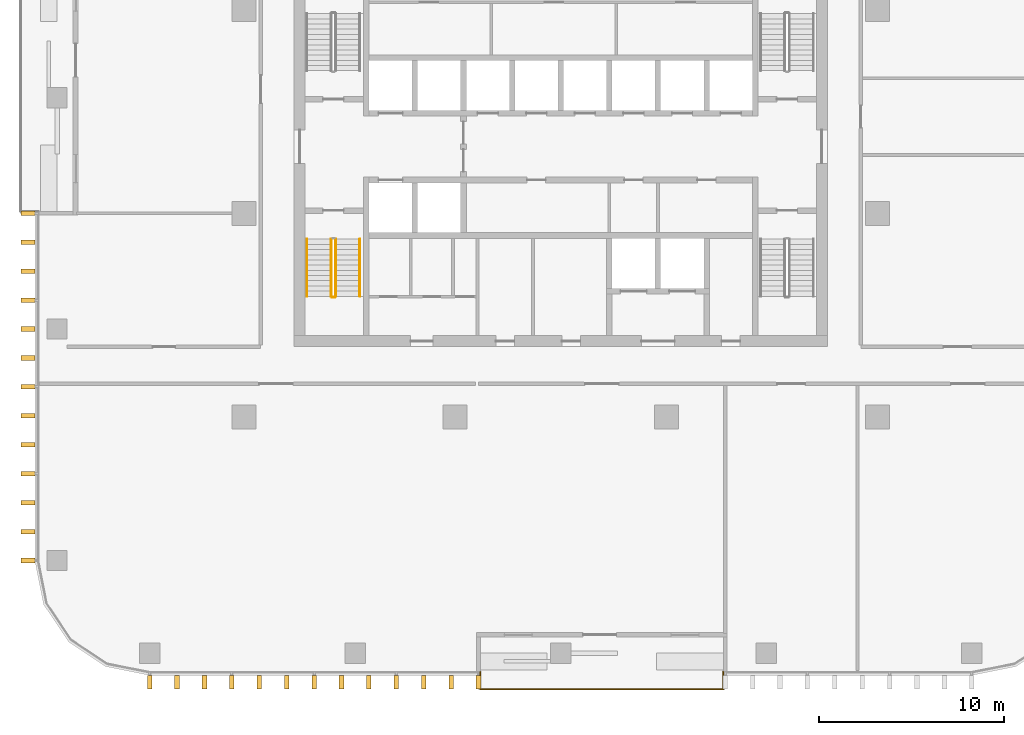
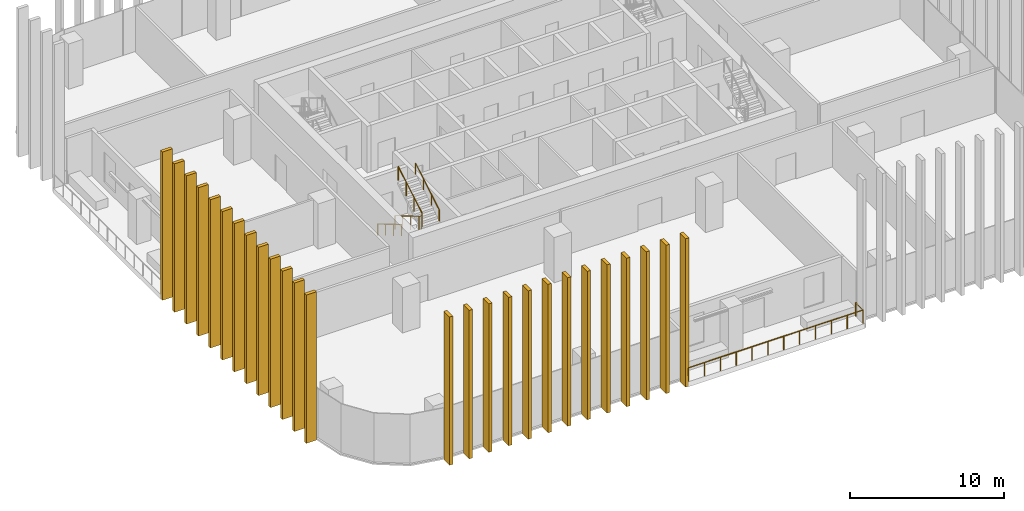
# One storey, part 11 of 16: 26 shading devices, 5 railings.
"""IFC4 building model written with IfcOpenShell, lengths in metres."""

from ifc_helpers import new_model, si_unit, direction, frame, origin, origin_2d, place, context, subcontext, project, spatial, rectangle, circle, extrude, material, type_object, element, save


model = new_model("IFC4")

# Units and contexts
model_context = context("Model", 3, precision=1e-05, world=origin(), true_north=direction((0.0, 1.0)))
body_context = subcontext(model_context, "Body", "Model", "MODEL_VIEW")
ifc_project = project(units=[si_unit("LENGTHUNIT", "METRE"), si_unit("AREAUNIT", "SQUARE_METRE"), si_unit("VOLUMEUNIT", "CUBIC_METRE"), si_unit("PLANEANGLEUNIT", "RADIAN"), si_unit("MASSUNIT", "GRAM", prefix="KILO")], contexts=[model_context])

# Site, building, storey
site_placement = place(None, origin())
site = spatial("IfcSite", under=ifc_project, at=site_placement, CompositionType="ELEMENT")
building_placement = place(site_placement, origin())
building = spatial("IfcBuilding", under=site, at=building_placement, Name="Mopane Tessera Tower", CompositionType="ELEMENT")
storey_placement = place(building_placement, frame((0.0, 0.0, 247.0)))
storey = spatial("IfcBuildingStorey", under=building, at=storey_placement, Name="L53", CompositionType="ELEMENT", Elevation=247.0)

# Shading devices
ifc_material_1 = material(Name="Glazed ceramic tile")
shading_device_type = type_object("IfcShadingDeviceType", Name="Ceramic tile fin 750 x 250 mm", PredefinedType="USERDEFINED", material=ifc_material_1)
for number, where, z_axis, x_axis, name in (
    (1, (-22.199951171875, -25.324951171875, -0.39990234375), (0.0, 0.0, 1.0), (1.0, 0.0, 0.0), "e:fin:L53:S:0:0"),
    (2, (-20.719970703125, -25.324951171875, -0.39990234375), (0.0, 0.0, 1.0), (1.0, 0.0, 0.0), "e:fin:L53:S:0:1"),
    (3, (-19.239990234375, -25.324951171875, -0.39990234375), (0.0, 0.0, 1.0), (1.0, 0.0, 0.0), "e:fin:L53:S:0:2"),
    (4, (-17.760009765625, -25.324951171875, -0.39990234375), (0.0, 0.0, 1.0), (1.0, 0.0, 0.0), "e:fin:L53:S:1:0"),
    (5, (-16.280029296875, -25.324951171875, -0.39990234375), (0.0, 0.0, 1.0), (1.0, 0.0, 0.0), "e:fin:L53:S:1:1"),
    (6, (-14.800048828125, -25.324951171875, -0.39990234375), (0.0, 0.0, 1.0), (1.0, 0.0, 0.0), "e:fin:L53:S:1:2"),
    (7, (-13.320068359375, -25.324951171875, -0.39990234375), (0.0, 0.0, 1.0), (1.0, 0.0, 0.0), "e:fin:L53:S:2:0"),
    (8, (-11.840087890625, -25.324951171875, -0.39990234375), (0.0, 0.0, 1.0), (1.0, 0.0, 0.0), "e:fin:L53:S:2:1"),
    (9, (-10.360107421875, -25.324951171875, -0.39990234375), (0.0, 0.0, 1.0), (1.0, 0.0, 0.0), "e:fin:L53:S:2:2"),
    (10, (-8.8798828125, -25.324951171875, -0.39990234375), (0.0, 0.0, 1.0), (1.0, 0.0, 0.0), "e:fin:L53:S:3:0"),
    (11, (-7.39990234375, -25.324951171875, -0.39990234375), (0.0, 0.0, 1.0), (1.0, 0.0, 0.0), "e:fin:L53:S:3:1"),
    (12, (-5.919921875, -25.324951171875, -0.39990234375), (0.0, 0.0, 1.0), (1.0, 0.0, 0.0), "e:fin:L53:S:3:2"),
    (13, (-4.43994140625, -25.324951171875, -0.39990234375), (0.0, 0.0, 1.0), (1.0, 0.0, 0.0), "e:fin:L53:S:3:3"),
    (14, (-28.77490234375, 0.0, -0.39990234375), (0.0, 0.0, 1.0), (0.0, -1.0, 0.0), "e:fin:L53:W:4:0"),
    (15, (-28.77490234375, -1.5625, -0.39990234375), (0.0, 0.0, 1.0), (0.0, -1.0, 0.0), "e:fin:L53:W:4:1"),
    (16, (-28.77490234375, -3.125, -0.39990234375), (0.0, 0.0, 1.0), (0.0, -1.0, 0.0), "e:fin:L53:W:4:2"),
    (17, (-28.77490234375, -4.6875, -0.39990234375), (0.0, 0.0, 1.0), (0.0, -1.0, 0.0), "e:fin:L53:W:5:0"),
    (18, (-28.77490234375, -6.25, -0.39990234375), (0.0, 0.0, 1.0), (0.0, -1.0, 0.0), "e:fin:L53:W:5:1"),
    (19, (-28.77490234375, -7.8125, -0.39990234375), (0.0, 0.0, 1.0), (0.0, -1.0, 0.0), "e:fin:L53:W:5:2"),
    (20, (-28.77490234375, -9.375, -0.39990234375), (0.0, 0.0, 1.0), (0.0, -1.0, 0.0), "e:fin:L53:W:6:0"),
    (21, (-28.77490234375, -10.9375, -0.39990234375), (0.0, 0.0, 1.0), (0.0, -1.0, 0.0), "e:fin:L53:W:6:1"),
    (22, (-28.77490234375, -12.5, -0.39990234375), (0.0, 0.0, 1.0), (0.0, -1.0, 0.0), "e:fin:L53:W:6:2"),
    (23, (-28.77490234375, -14.0625, -0.39990234375), (0.0, 0.0, 1.0), (0.0, -1.0, 0.0), "e:fin:L53:W:7:0"),
    (24, (-28.77490234375, -15.625, -0.39990234375), (0.0, 0.0, 1.0), (0.0, -1.0, 0.0), "e:fin:L53:W:7:1"),
    (25, (-28.77490234375, -17.1875, -0.39990234375), (0.0, 0.0, 1.0), (0.0, -1.0, 0.0), "e:fin:L53:W:7:2"),
    (26, (-28.77490234375, -18.75, -0.39990234375), (0.0, 0.0, 1.0), (0.0, -1.0, 0.0), "e:fin:L53:W:7:3"),
):
    element("IfcShadingDevice", number, at=place(storey_placement, frame(where, z_axis=z_axis, x_axis=x_axis)), inside=storey, type_object=shading_device_type, Name=name, ObjectType="FIN", PredefinedType="USERDEFINED", context=body_context, shape_type="SweptSolid", body=[
        extrude(rectangle(XDim=0.25, YDim=0.75, at=origin_2d()), origin(), (0.0, 0.0, 1.0), 11.800048828125),
    ])

# Railings
ifc_material_2 = material(Name="Powder-coated steel balustrade", Category="steel")
railing_type_1 = type_object("IfcRailingType", Name="Escape stair guard 1100 mm", PredefinedType="GUARDRAIL", material=ifc_material_2)
railing_1_placement = place(storey_placement, frame((-12.39990234375, -1.39990234375, 0.166748046875)))
element("IfcRailing", 27, at=railing_1_placement, inside=storey, type_object=railing_type_1, Name="L53 ST1 stair guard 1", PredefinedType="GUARDRAIL", context=body_context, shape_type="SweptSolid", body=[
    extrude(circle(Radius=0.02392578125, at=origin_2d()), frame((0.0, 0.0, 1.076171875), z_axis=(0.0, -0.859308565015, 0.511457515432), x_axis=(1.0, 0.0, 0.0)), (0.0, 0.0, 1.0), 3.58447265625),
    extrude(circle(Radius=0.02392578125, at=origin_2d()), frame((0.0, -3.080078125, 2.9091796875), z_axis=(0.705375805398, -0.708833529934, 0.0), x_axis=(0.708833529934, 0.705375805398, 0.0)), (0.0, 0.0, 1.0), 0.070556640625),
    extrude(circle(Radius=0.02392578125, at=origin_2d()), frame((0.0498046875, -3.130126953125, 2.9091796875), z_axis=(1.0, 0.0, 0.0), x_axis=(0.0, 1.0, 0.0)), (0.0, 0.0, 1.0), 0.150146484375),
    extrude(circle(Radius=0.02099609375, at=origin_2d()), origin(), (0.0, 0.0, 1.0), 1.052001953125),
    extrude(circle(Radius=0.02099609375, at=origin_2d()), frame((0.0, -1.026611328125, 0.611083984375)), (0.0, 0.0, 1.0), 1.052001953125),
    extrude(circle(Radius=0.02099609375, at=origin_2d()), frame((0.0, -2.053466796875, 1.22216796875)), (0.0, 0.0, 1.0), 1.052001953125),
    extrude(circle(Radius=0.02099609375, at=origin_2d()), frame((0.0, -3.080078125, 1.833251953125)), (0.0, 0.0, 1.0), 1.052001953125),
    extrude(circle(Radius=0.02099609375, at=origin_2d()), frame((0.0498046875, -3.130126953125, 1.833251953125)), (0.0, 0.0, 1.0), 1.052001953125),
    extrude(circle(Radius=0.02099609375, at=origin_2d()), frame((0.199951171875, -3.130126953125, 1.833251953125)), (0.0, 0.0, 1.0), 1.052001953125),
])
railing_2_placement = place(storey_placement, frame((-12.14990234375, -4.47998046875, 2.166748046875)))
element("IfcRailing", 28, at=railing_2_placement, inside=storey, type_object=railing_type_1, Name="L53 ST1 stair guard 2", PredefinedType="GUARDRAIL", context=body_context, shape_type="SweptSolid", body=[
    extrude(circle(Radius=0.02392578125, at=origin_2d()), frame((0.0, 0.0, 1.076171875), z_axis=(0.0, 0.859308565015, 0.511457515432), x_axis=(-1.0, 0.0, 0.0)), (0.0, 0.0, 1.0), 3.58447265625),
    extrude(circle(Radius=0.02099609375, at=origin_2d()), origin(), (0.0, 0.0, 1.0), 1.052001953125),
    extrude(circle(Radius=0.02099609375, at=origin_2d()), frame((0.0, 1.026611328125, 0.611083984375)), (0.0, 0.0, 1.0), 1.052001953125),
    extrude(circle(Radius=0.02099609375, at=origin_2d()), frame((0.0, 2.053466796875, 1.22216796875)), (0.0, 0.0, 1.0), 1.052001953125),
    extrude(circle(Radius=0.02099609375, at=origin_2d()), frame((0.0, 3.080078125, 1.833251953125)), (0.0, 0.0, 1.0), 1.052001953125),
])
ifc_material_3 = material(Name="Powder-coated steel balustrade", Category="steel")
railing_type_2 = type_object("IfcRailingType", Name="Escape stair handrail 900 mm", PredefinedType="HANDRAIL", material=ifc_material_3)
railing_3_placement = place(storey_placement, frame((-13.699951171875, -1.39990234375, 0.166748046875)))
element("IfcRailing", 29, at=railing_3_placement, inside=storey, type_object=railing_type_2, Name="L53 ST1 stair handrail 1", PredefinedType="HANDRAIL", context=body_context, shape_type="SweptSolid", body=[
    extrude(circle(Radius=0.02392578125, at=origin_2d()), frame((0.0, 0.0, 0.8759765625), z_axis=(0.0, -0.859308565015, 0.511457515432), x_axis=(1.0, 0.0, 0.0)), (0.0, 0.0, 1.0), 3.58447265625),
    extrude(circle(Radius=0.02099609375, at=origin_2d()), origin(), (0.0, 0.0, 1.0), 0.851806640625),
    extrude(circle(Radius=0.02099609375, at=origin_2d()), frame((0.0, -1.026611328125, 0.611083984375)), (0.0, 0.0, 1.0), 0.851806640625),
    extrude(circle(Radius=0.02099609375, at=origin_2d()), frame((0.0, -2.053466796875, 1.22216796875)), (0.0, 0.0, 1.0), 0.851806640625),
    extrude(circle(Radius=0.02099609375, at=origin_2d()), frame((0.0, -3.080078125, 1.833251953125)), (0.0, 0.0, 1.0), 0.851806640625),
])
railing_4_placement = place(storey_placement, frame((-10.85009765625, -4.47998046875, 2.166748046875)))
element("IfcRailing", 30, at=railing_4_placement, inside=storey, type_object=railing_type_2, Name="L53 ST1 stair handrail 2", PredefinedType="HANDRAIL", context=body_context, shape_type="SweptSolid", body=[
    extrude(circle(Radius=0.02392578125, at=origin_2d()), frame((0.0, 0.0, 0.8759765625), z_axis=(0.0, 0.859308565015, 0.511457515432), x_axis=(-1.0, 0.0, 0.0)), (0.0, 0.0, 1.0), 3.58447265625),
    extrude(circle(Radius=0.02099609375, at=origin_2d()), origin(), (0.0, 0.0, 1.0), 0.851806640625),
    extrude(circle(Radius=0.02099609375, at=origin_2d()), frame((0.0, 1.026611328125, 0.611083984375)), (0.0, 0.0, 1.0), 0.851806640625),
    extrude(circle(Radius=0.02099609375, at=origin_2d()), frame((0.0, 2.053466796875, 1.22216796875)), (0.0, 0.0, 1.0), 0.851806640625),
    extrude(circle(Radius=0.02099609375, at=origin_2d()), frame((0.0, 3.080078125, 1.833251953125)), (0.0, 0.0, 1.0), 0.851806640625),
])
ifc_material_4 = material(Name="Stainless steel S316", Category="steel")
railing_type_3 = type_object("IfcRailingType", Name="Terrace guard 1100", PredefinedType="GUARDRAIL", material=ifc_material_4)
railing_5_placement = place(storey_placement, frame((-4.340087890625, -24.75, 0.0)))
element("IfcRailing", 31, at=railing_5_placement, inside=storey, type_object=railing_type_3, Name="e:nw:L53:N1:guard", PredefinedType="GUARDRAIL", context=body_context, shape_type="SweptSolid", body=[
    extrude(circle(Radius=0.02392578125, at=origin_2d()), frame((0.0, 0.0, 1.076171875), z_axis=(0.0, -1.0, 0.0), x_axis=(1.0, 0.0, 0.0)), (0.0, 0.0, 1.0), 0.949951171875),
    extrude(circle(Radius=0.02392578125, at=origin_2d()), frame((0.0, -0.949951171875, 1.076171875), z_axis=(1.0, 0.0, 0.0), x_axis=(0.0, 1.0, 0.0)), (0.0, 0.0, 1.0), 13.1201171875),
    extrude(circle(Radius=0.02392578125, at=origin_2d()), frame((13.1201171875, -0.949951171875, 1.076171875), z_axis=(0.0, 1.0, 0.0), x_axis=(-1.0, 0.0, 0.0)), (0.0, 0.0, 1.0), 0.949951171875),
    extrude(circle(Radius=0.02099609375, at=origin_2d()), origin(), (0.0, 0.0, 1.0), 1.052001953125),
    extrude(circle(Radius=0.02099609375, at=origin_2d()), frame((0.0, -0.949951171875, 0.0)), (0.0, 0.0, 1.0), 1.052001953125),
    extrude(circle(Radius=0.02099609375, at=origin_2d()), frame((1.192626953125, -0.949951171875, 0.0)), (0.0, 0.0, 1.0), 1.052001953125),
    extrude(circle(Radius=0.02099609375, at=origin_2d()), frame((2.385498046875, -0.949951171875, 0.0)), (0.0, 0.0, 1.0), 1.052001953125),
    extrude(circle(Radius=0.02099609375, at=origin_2d()), frame((3.578125, -0.949951171875, 0.0)), (0.0, 0.0, 1.0), 1.052001953125),
    extrude(circle(Radius=0.02099609375, at=origin_2d()), frame((4.77099609375, -0.949951171875, 0.0)), (0.0, 0.0, 1.0), 1.052001953125),
    extrude(circle(Radius=0.02099609375, at=origin_2d()), frame((5.963623046875, -0.949951171875, 0.0)), (0.0, 0.0, 1.0), 1.052001953125),
    extrude(circle(Radius=0.02099609375, at=origin_2d()), frame((7.156494140625, -0.949951171875, 0.0)), (0.0, 0.0, 1.0), 1.052001953125),
    extrude(circle(Radius=0.02099609375, at=origin_2d()), frame((8.34912109375, -0.949951171875, 0.0)), (0.0, 0.0, 1.0), 1.052001953125),
    extrude(circle(Radius=0.02099609375, at=origin_2d()), frame((9.5419921875, -0.949951171875, 0.0)), (0.0, 0.0, 1.0), 1.052001953125),
    extrude(circle(Radius=0.02099609375, at=origin_2d()), frame((10.734619140625, -0.949951171875, 0.0)), (0.0, 0.0, 1.0), 1.052001953125),
    extrude(circle(Radius=0.02099609375, at=origin_2d()), frame((11.927490234375, -0.949951171875, 0.0)), (0.0, 0.0, 1.0), 1.052001953125),
    extrude(circle(Radius=0.02099609375, at=origin_2d()), frame((13.1201171875, -0.949951171875, 0.0)), (0.0, 0.0, 1.0), 1.052001953125),
    extrude(circle(Radius=0.02099609375, at=origin_2d()), frame((13.1201171875, 0.0, 0.0)), (0.0, 0.0, 1.0), 1.052001953125),
])

save(model, "model.ifc")
